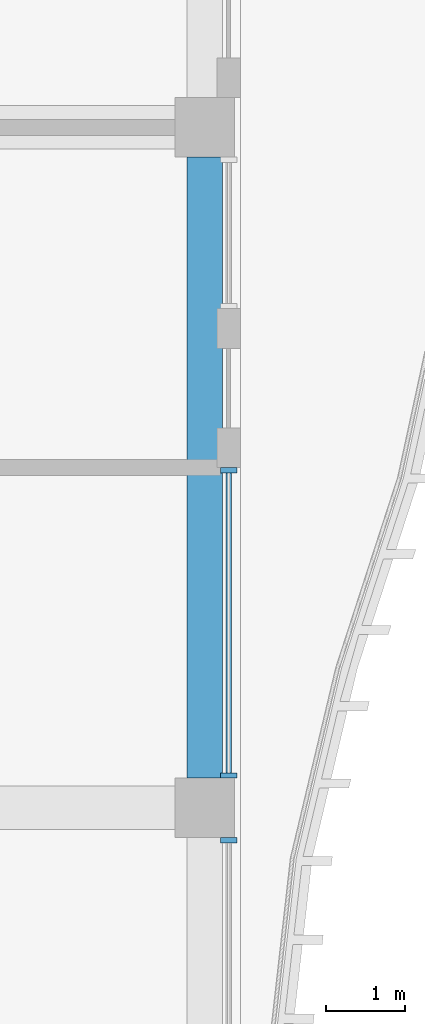
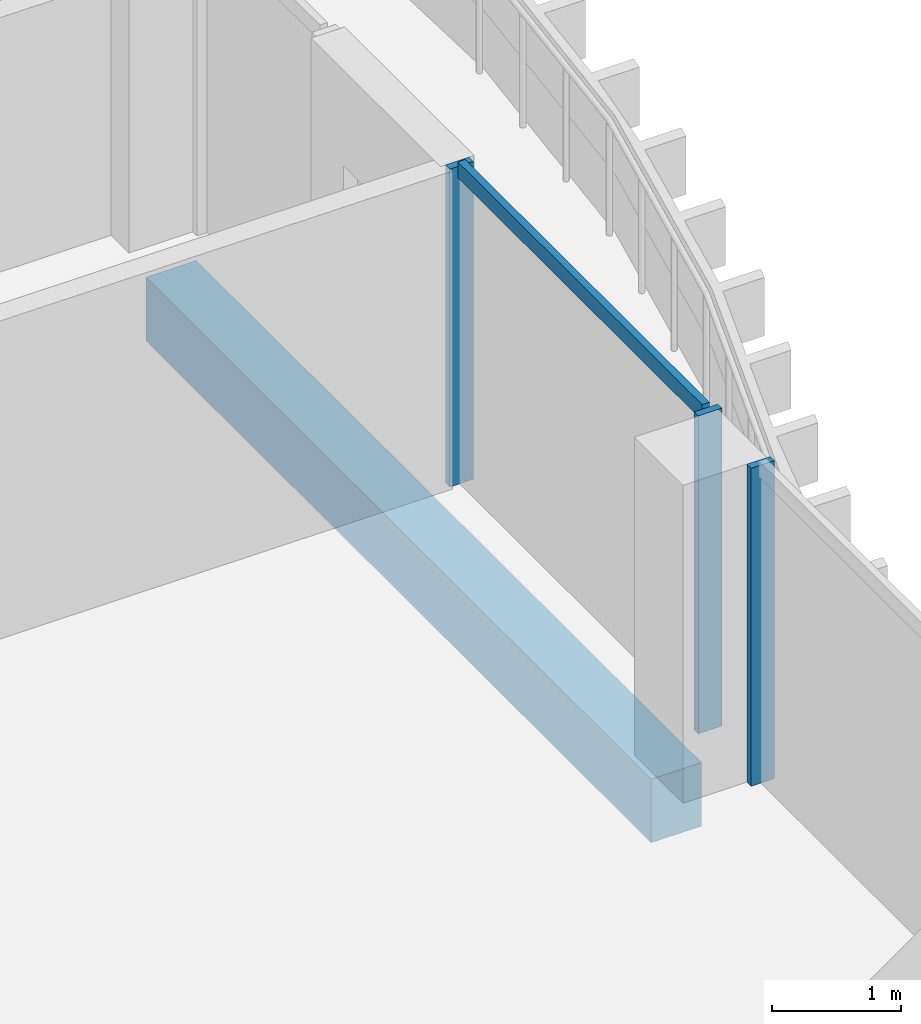
# One storey, part 6 of 22: 4 members, 1 beam, 2 elements without a shape of their own.
"""IFC4 building model written with IfcOpenShell, lengths in metres."""

from ifc_helpers import new_model, si_unit, direction, frame, origin, origin_2d, place, context, subcontext, project, spatial, rectangle, extrude, source, transform, mapped, material, material_profile, profile_set, type_object, element, aggregate, save


model = new_model("IFC4")

# Units and contexts
model_context = context("Model", 3, precision=1e-05, world=origin(), true_north=direction((0.0, 1.0)))
body_context = subcontext(model_context, "Body", "Model", "MODEL_VIEW")
ifc_project = project(units=[si_unit("LENGTHUNIT", "METRE"), si_unit("AREAUNIT", "SQUARE_METRE"), si_unit("VOLUMEUNIT", "CUBIC_METRE"), si_unit("PLANEANGLEUNIT", "RADIAN"), si_unit("MASSUNIT", "GRAM", prefix="KILO")], contexts=[model_context])

# Site, building, storey
site_placement = place(None, origin())
site = spatial("IfcSite", under=ifc_project, at=site_placement, CompositionType="ELEMENT")
building_placement = place(site_placement, origin())
building = spatial("IfcBuilding", under=site, at=building_placement, Name="Kilnfold Tower and Market Hall", CompositionType="ELEMENT")
storey_placement = place(building_placement, frame((0.0, 0.0, 220.300048828125)))
storey = spatial("IfcBuildingStorey", under=building, at=storey_placement, Name="L54", CompositionType="ELEMENT", Elevation=220.300048828125)

# Beam
ifc_material_1 = material(Name="Concrete C45", Category="concrete")
ifc_material_profile_1 = material_profile(ifc_material_1, rectangle(XDim=0.449951171875, YDim=0.60009765625, at=origin_2d()), Name="RC 450x600")
ifc_profile_set_1 = profile_set([ifc_material_profile_1], Name="Concrete C45")
beam_type = type_object("IfcBeamType", Name="EDGE BEAM 450X600 C45", PredefinedType="BEAM", material=ifc_profile_set_1)
shared_shape_1 = source(origin(), body_context, "Body", "SweptSolid", [
    extrude(rectangle(XDim=0.449951171875, YDim=0.60009765625, at=origin_2d()), origin(), (0.0, 0.0, 1.0), 7.8125),
])
beam_placement = place(storey_placement, frame((30.800048828125, -0.1875, -0.580078125), z_axis=(0.0, 1.0, 0.0), x_axis=(-1.0, 0.0, 0.0)))
element("IfcBeam", 1, at=beam_placement, inside=storey, type_object=beam_type, Name="Beam EB600-B6.73", PredefinedType="BEAM", context=body_context, shape_type="MappedRepresentation", body=[
    mapped(shared_shape_1, transform((0.0, 0.0, 0.0))),
])

# Curtain wall, member
ifc_material_2 = material(Name="Aluminium and double glazing", Category="aluminium")
curtain_wall_type = type_object("IfcCurtainWallType", Name="CW GARDEN HOTEL WINTER GARDEN", PredefinedType="NOTDEFINED", material=ifc_material_2)
curtain_wall_1_placement = place(storey_placement, origin())
curtain_wall_1 = element("IfcCurtainWall", 2, at=curtain_wall_1_placement, inside=storey, type_object=curtain_wall_type, Name="Curtain wall CW5 L54 E", PredefinedType="NOTDEFINED")
ifc_material_3 = material(Name="Aluminium", Category="aluminium")
ifc_material_profile_2 = material_profile(ifc_material_3, rectangle(XDim=0.06494140625, YDim=0.2099609375, at=origin_2d()), Name="MULLION 65x210")
ifc_profile_set_2 = profile_set([ifc_material_profile_2], Name="Aluminium")
member_type_1 = type_object("IfcMemberType", Name="MULLION 65X210", PredefinedType="MULLION", material=ifc_profile_set_2)
shared_shape_2 = source(origin(), body_context, "Body", "SweptSolid", [
    extrude(rectangle(XDim=0.06494140625, YDim=0.2099609375, at=origin_2d()), origin(), (0.0, 0.0, 1.0), 3.0),
])
member_1_placement = place(storey_placement, frame((31.10009765625, -0.969970703125, 0.0), z_axis=(0.0, 0.0, 1.0), x_axis=(0.0, 1.0, 0.0)))
member_1 = element("IfcMember", 3, at=member_1_placement, type_object=member_type_1, Name="CW5 mullion 2", PredefinedType="MULLION", context=body_context, shape_type="MappedRepresentation", body=[
    mapped(shared_shape_2, transform((0.0, 0.0, 0.0))),
])
aggregate(curtain_wall_1, [member_1])

# Curtain wall, members
curtain_wall_2_placement = place(storey_placement, origin())
curtain_wall_2 = element("IfcCurtainWall", 4, at=curtain_wall_2_placement, inside=storey, type_object=curtain_wall_type, Name="Curtain wall CW5 L54 E", PredefinedType="NOTDEFINED")
member_2_placement = place(storey_placement, frame((31.10009765625, -0.155029296875, 0.0), z_axis=(0.0, 0.0, 1.0), x_axis=(0.0, 1.0, 0.0)))
member_2 = element("IfcMember", 5, at=member_2_placement, type_object=member_type_1, Name="CW5 mullion 1", PredefinedType="MULLION", context=body_context, shape_type="MappedRepresentation", body=[
    mapped(shared_shape_2, transform((0.0, 0.0, 0.0))),
])
member_3_placement = place(storey_placement, frame((31.10009765625, 3.686279296875, 0.0), z_axis=(0.0, 0.0, 1.0), x_axis=(0.0, 1.0, 0.0)))
member_3 = element("IfcMember", 6, at=member_3_placement, type_object=member_type_1, Name="CW5 mullion 2", PredefinedType="MULLION", context=body_context, shape_type="MappedRepresentation", body=[
    mapped(shared_shape_2, transform((0.0, 0.0, 0.0))),
])
ifc_material_4 = material(Name="Aluminium", Category="aluminium")
ifc_material_profile_3 = material_profile(ifc_material_4, rectangle(XDim=0.06494140625, YDim=0.14990234375, at=origin_2d()), Name="TRANSOM 65x150")
ifc_profile_set_3 = profile_set([ifc_material_profile_3], Name="Aluminium")
member_type_2 = type_object("IfcMemberType", Name="TRANSOM 65X150", PredefinedType="USERDEFINED", material=ifc_profile_set_3)
shared_shape_3 = source(origin(), body_context, "Body", "SweptSolid", [
    extrude(rectangle(XDim=0.06494140625, YDim=0.14990234375, at=origin_2d()), origin(), (0.0, 0.0, 1.0), 3.7763671875),
])
member_4_placement = place(storey_placement, frame((31.10009765625, -0.12255859375, 2.967529296875), z_axis=(0.0, 1.0, 0.0), x_axis=(-1.0, 0.0, 0.0)))
member_4 = element("IfcMember", 7, at=member_4_placement, type_object=member_type_2, Name="CW5 transom 1.2", ObjectType="TRANSOM", PredefinedType="USERDEFINED", context=body_context, shape_type="MappedRepresentation", body=[
    mapped(shared_shape_3, transform((0.0, 0.0, 0.0))),
])
aggregate(curtain_wall_2, [member_2, member_3, member_4])

save(model, "model.ifc")
